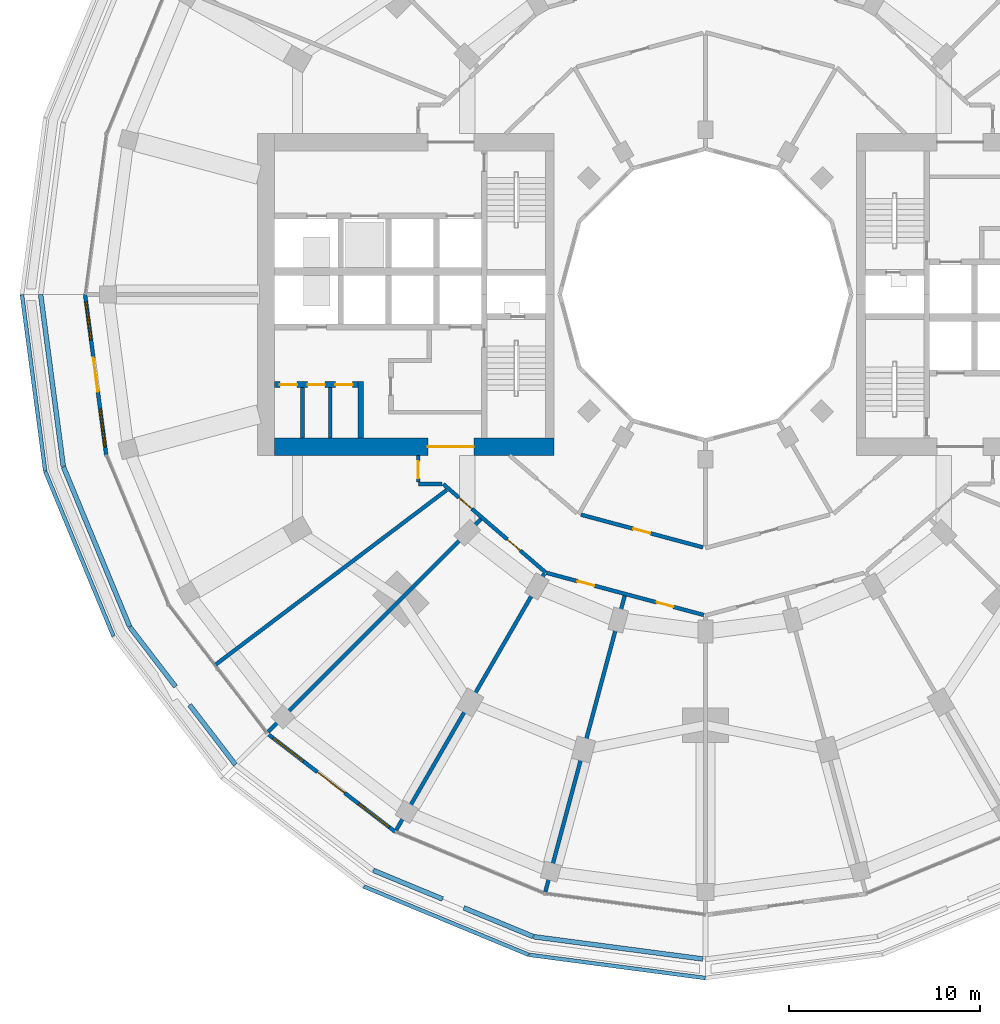
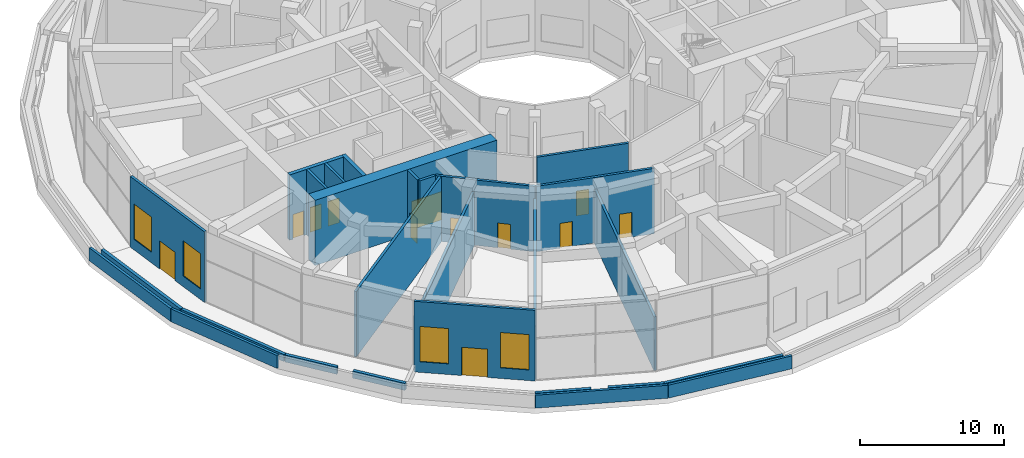
# One storey, part 15 of 23: 27 walls, 12 doors, 4 windows, 16 openings.
"""IFC4 building model written with IfcOpenShell, lengths in metres."""

from ifc_helpers import new_model, si_unit, direction, frame, frame_2d, origin, place, context, subcontext, project, spatial, rectangle, extrude, material, layer, layer_set, type_object, element, fill, save


model = new_model("IFC4")

# Units and contexts
model_context = context("Model", 3, precision=1e-05, world=origin(), true_north=direction((0.0, 1.0)))
body_context = subcontext(model_context, "Body", "Model", "MODEL_VIEW")
ifc_project = project(units=[si_unit("LENGTHUNIT", "METRE"), si_unit("AREAUNIT", "SQUARE_METRE"), si_unit("VOLUMEUNIT", "CUBIC_METRE"), si_unit("PLANEANGLEUNIT", "RADIAN"), si_unit("MASSUNIT", "GRAM", prefix="KILO")], contexts=[model_context])

# Site, building, storey
site_placement = place(None, origin())
site = spatial("IfcSite", under=ifc_project, at=site_placement, CompositionType="ELEMENT")
building_placement = place(site_placement, origin())
building = spatial("IfcBuilding", under=site, at=building_placement, Name="Torre Brocal", CompositionType="ELEMENT")
storey_placement = place(building_placement, frame((0.0, 0.0, 17.800048828125)))
storey = spatial("IfcBuildingStorey", under=building, at=storey_placement, Name="L03", CompositionType="ELEMENT", Elevation=17.800048828125)

# Walls
ifc_material_1 = material(Name="Masonry block", Category="masonry")
ifc_layer_1 = layer(ifc_material_1, 0.199951171875)
ifc_layer_set_1 = layer_set([ifc_layer_1], Name="Masonry block")
wall_type_1 = type_object("IfcWallType", Name="CORE PARTITION 200 UNDER 450 SLAB", PredefinedType="PARTITIONING", material=ifc_layer_set_1)
for number, where, z_axis, x_axis, name in (
    (1, (60.39990234375, 70.14990234375, 0.0), (0.0, 0.0, 1.0), (0.0, -1.0, 0.0), "Wall CP200-S450"),
    (2, (58.949951171875, 70.14990234375, 0.0), (0.0, 0.0, 1.0), (0.0, -1.0, 0.0), "Wall CP200-S450"),
):
    element("IfcWall", number, at=place(storey_placement, frame(where, z_axis=z_axis, x_axis=x_axis)), inside=storey, type_object=wall_type_1, Name=name, PredefinedType="PARTITIONING", context=body_context, shape_type="SweptSolid", body=[
        extrude(rectangle(XDim=2.64990234375, YDim=0.199951171875, at=frame_2d((1.324951171875, 0.0))), origin(), (0.0, 0.0, 1.0), 5.550048828125),
    ])
ifc_material_2 = material(Name="Concrete C80", Category="concrete")
ifc_layer_2 = layer(ifc_material_2, 0.300048828125)
ifc_layer_set_2 = layer_set([ifc_layer_2], Name="Concrete C80")
wall_type_2 = type_object("IfcWallType", Name="CORE WALL 300 C80 UNDER 450 SLAB", PredefinedType="SHEAR", material=ifc_layer_set_2)
wall_1_placement = place(storey_placement, frame((62.0, 70.449951171875, 0.0), z_axis=(0.0, 0.0, 1.0), x_axis=(0.0, -1.0, 0.0)))
element("IfcWall", 3, at=wall_1_placement, inside=storey, type_object=wall_type_2, Name="Wall CW300-80-S450", PredefinedType="SHEAR", context=body_context, shape_type="SweptSolid", body=[
    extrude(rectangle(XDim=2.949951171875, YDim=0.300048828125, at=frame_2d((1.47509765625, 0.0))), origin(), (0.0, 0.0, 1.0), 5.550048828125),
])

# Wall, openings, doors
wall_2_placement = place(storey_placement, frame((61.85009765625, 70.300048828125, 0.0), z_axis=(0.0, 0.0, 1.0), x_axis=(-1.0, 0.0, 0.0)))
wall_2 = element("IfcWall", 4, at=wall_2_placement, inside=storey, type_object=wall_type_2, Name="Wall CW300-80-S450", PredefinedType="SHEAR", context=body_context, shape_type="SweptSolid", body=[
    extrude(rectangle(XDim=4.35009765625, YDim=0.300048828125, at=frame_2d((2.175048828125, 0.0))), origin(), (0.0, 0.0, 1.0), 5.550048828125),
])
opening_1_placement = place(wall_2_placement, frame((0.27490234375, 0.0, 0.0)))
opening_1 = element("IfcOpeningElement", 5, at=opening_1_placement, cuts=wall_2, Name="Opening W-D05", PredefinedType="OPENING", context=body_context, shape_type="SweptSolid", body=[
    extrude(rectangle(XDim=0.89990234375, YDim=2.10009765625, at=frame_2d((0.449951171875, 1.050048828125))), frame((0.0, 0.159912109375, 0.0), z_axis=(0.0, -1.0, 0.0), x_axis=(1.0, 0.0, 0.0)), (0.0, 0.0, 1.0), 0.320068359375),
])
opening_2_placement = place(wall_2_placement, frame((1.72509765625, 0.0, 0.0)))
opening_2 = element("IfcOpeningElement", 6, at=opening_2_placement, cuts=wall_2, Name="Opening W-D06", PredefinedType="OPENING", context=body_context, shape_type="SweptSolid", body=[
    extrude(rectangle(XDim=0.89990234375, YDim=2.10009765625, at=frame_2d((0.449951171875, 1.050048828125))), frame((0.0, 0.159912109375, 0.0), z_axis=(0.0, -1.0, 0.0), x_axis=(1.0, 0.0, 0.0)), (0.0, 0.0, 1.0), 0.320068359375),
])
opening_3_placement = place(wall_2_placement, frame((3.175048828125, 0.0, 0.0)))
opening_3 = element("IfcOpeningElement", 7, at=opening_3_placement, cuts=wall_2, Name="Opening W-D07", PredefinedType="OPENING", context=body_context, shape_type="SweptSolid", body=[
    extrude(rectangle(XDim=0.89990234375, YDim=2.10009765625, at=frame_2d((0.449951171875, 1.050048828125))), frame((0.0, 0.159912109375, 0.0), z_axis=(0.0, -1.0, 0.0), x_axis=(1.0, 0.0, 0.0)), (0.0, 0.0, 1.0), 0.320068359375),
])
ifc_material_3 = material(Name="Steel A653", Category="steel")
door_type_1 = type_object("IfcDoorType", Name="ROOM DOOR FD30S 900X2100", OperationType="SINGLE_SWING_LEFT", PredefinedType="DOOR", material=ifc_material_3)
door_1_placement = place(opening_1_placement, origin())
door_1 = element("IfcDoor", 8, at=door_1_placement, inside=storey, type_object=door_type_1, Name="Door W-D05", OperationType="SINGLE_SWING_RIGHT", OverallHeight=2.10009765625, OverallWidth=0.89990234375, PredefinedType="DOOR", context=body_context, shape_type="SweptSolid", body=[
    extrude(rectangle(XDim=0.89990234375, YDim=2.10009765625, at=frame_2d((0.449951171875, 1.050048828125))), frame((0.0, 0.02490234375, 0.0), z_axis=(0.0, -1.0, 0.0), x_axis=(1.0, 0.0, 0.0)), (0.0, 0.0, 1.0), 0.050048828125),
])
fill(opening_1, door_1)
door_2_placement = place(opening_2_placement, origin())
door_2 = element("IfcDoor", 9, at=door_2_placement, inside=storey, type_object=door_type_1, Name="Door W-D06", OperationType="SINGLE_SWING_LEFT", OverallHeight=2.10009765625, OverallWidth=0.89990234375, PredefinedType="DOOR", context=body_context, shape_type="SweptSolid", body=[
    extrude(rectangle(XDim=0.89990234375, YDim=2.10009765625, at=frame_2d((0.449951171875, 1.050048828125))), frame((0.0, 0.02490234375, 0.0), z_axis=(0.0, -1.0, 0.0), x_axis=(1.0, 0.0, 0.0)), (0.0, 0.0, 1.0), 0.050048828125),
])
fill(opening_2, door_2)
door_3_placement = place(opening_3_placement, origin())
door_3 = element("IfcDoor", 10, at=door_3_placement, inside=storey, type_object=door_type_1, Name="Door W-D07", OperationType="SINGLE_SWING_LEFT", OverallHeight=2.10009765625, OverallWidth=0.89990234375, PredefinedType="DOOR", context=body_context, shape_type="SweptSolid", body=[
    extrude(rectangle(XDim=0.89990234375, YDim=2.10009765625, at=frame_2d((0.449951171875, 1.050048828125))), frame((0.0, 0.02490234375, 0.0), z_axis=(0.0, -1.0, 0.0), x_axis=(1.0, 0.0, 0.0)), (0.0, 0.0, 1.0), 0.050048828125),
])
fill(opening_3, door_3)

# Wall, opening, door
ifc_material_4 = material(Name="Concrete C80", Category="concrete")
ifc_layer_3 = layer(ifc_material_4, 0.89990234375)
ifc_layer_set_3 = layer_set([ifc_layer_3], Name="Concrete C80")
wall_type_3 = type_object("IfcWallType", Name="CORE WALL 900 C80 UNDER 450 SLAB", PredefinedType="SHEAR", material=ifc_layer_set_3)
wall_3_placement = place(storey_placement, frame((72.10009765625, 67.050048828125, 0.0), z_axis=(0.0, 0.0, 1.0), x_axis=(-1.0, 0.0, 0.0)))
wall_3 = element("IfcWall", 11, at=wall_3_placement, inside=storey, type_object=wall_type_3, Name="Wall CW900-80-S450", PredefinedType="SHEAR", context=body_context, shape_type="SweptSolid", body=[
    extrude(rectangle(XDim=14.60009765625, YDim=0.89990234375, at=frame_2d((7.300048828125, 0.0))), origin(), (0.0, 0.0, 1.0), 5.550048828125),
])
opening_4_placement = place(wall_3_placement, frame((4.199951171875, 0.0, 0.0)))
opening_4 = element("IfcOpeningElement", 12, at=opening_4_placement, cuts=wall_3, Name="Opening W-D27", PredefinedType="OPENING", context=body_context, shape_type="SweptSolid", body=[
    extrude(rectangle(XDim=2.39990234375, YDim=2.39990234375, at=frame_2d((1.199951171875, 1.199951171875))), frame((0.0, 0.4599609375, 0.0), z_axis=(0.0, -1.0, 0.0), x_axis=(1.0, 0.0, 0.0)), (0.0, 0.0, 1.0), 0.919921875),
])
ifc_material_5 = material(Name="Steel A653", Category="steel")
door_type_2 = type_object("IfcDoorType", Name="DOUBLE FIRE DOOR FD90 2400X2400", OperationType="DOUBLE_DOOR_SINGLE_SWING", PredefinedType="DOOR", material=ifc_material_5)
door_4_placement = place(opening_4_placement, frame((2.39990234375, 0.0, 0.0), z_axis=(0.0, 0.0, 1.0), x_axis=(-1.0, 0.0, 0.0)))
door_4 = element("IfcDoor", 13, at=door_4_placement, inside=storey, type_object=door_type_2, Name="Door W-D27", OperationType="DOUBLE_DOOR_SINGLE_SWING", OverallHeight=2.39990234375, OverallWidth=2.39990234375, PredefinedType="DOOR", context=body_context, shape_type="SweptSolid", body=[
    extrude(rectangle(XDim=2.39990234375, YDim=2.39990234375, at=frame_2d((1.199951171875, 1.199951171875))), frame((0.0, 0.02490234375, 0.0), z_axis=(0.0, -1.0, 0.0), x_axis=(1.0, 0.0, 0.0)), (0.0, 0.0, 1.0), 0.050048828125),
])
fill(opening_4, door_4)

# Wall, openings, windows, door
ifc_material_6 = material(Name="Concrete C40", Category="concrete")
ifc_layer_4 = layer(ifc_material_6, 0.199951171875)
ifc_layer_set_4 = layer_set([ifc_layer_4], Name="Concrete C40")
wall_type_4 = type_object("IfcWallType", Name="EXTERNAL WALL 200", PredefinedType="NOTDEFINED", material=ifc_layer_set_4)
wall_4_placement = place(storey_placement, frame((47.600830078125, 75.0, 0.0), z_axis=(0.0, 0.0, 1.0), x_axis=(0.130529928059, -0.991444369534, 0.0)))
wall_4 = element("IfcWall", 14, at=wall_4_placement, inside=storey, type_object=wall_type_4, Name="EXTERNAL WALL", PredefinedType="NOTDEFINED", context=body_context, shape_type="SweptSolid", body=[
    extrude(rectangle(XDim=8.457763671875, YDim=0.199951171875, at=frame_2d((4.22900390625, 0.0))), origin(), (0.0, 0.0, 1.0), 6.0),
])
opening_5_placement = place(wall_4_placement, frame((0.40966796875, 0.0, 0.89990234375)))
opening_5 = element("IfcOpeningElement", 15, at=opening_5_placement, cuts=wall_4, Name="Opening W7", PredefinedType="OPENING", context=body_context, shape_type="SweptSolid", body=[
    extrude(rectangle(XDim=2.0, YDim=3.0, at=frame_2d((1.0, 1.5))), frame((0.0, 0.10986328125, 0.0), z_axis=(0.0, -1.0, 0.0), x_axis=(1.0, 0.0, 0.0)), (0.0, 0.0, 1.0), 0.219970703125),
])
opening_6_placement = place(wall_4_placement, frame((3.328857421875, 0.0, 0.0)))
opening_6 = element("IfcOpeningElement", 16, at=opening_6_placement, cuts=wall_4, Name="Opening L03-E05", PredefinedType="OPENING", context=body_context, shape_type="SweptSolid", body=[
    extrude(rectangle(XDim=1.800048828125, YDim=2.39990234375, at=frame_2d((0.89990234375, 1.199951171875))), frame((0.0, 0.10986328125, 0.0), z_axis=(0.0, -1.0, 0.0), x_axis=(1.0, 0.0, 0.0)), (0.0, 0.0, 1.0), 0.219970703125),
])
opening_7_placement = place(wall_4_placement, frame((6.04833984375, 0.0, 0.89990234375)))
opening_7 = element("IfcOpeningElement", 17, at=opening_7_placement, cuts=wall_4, Name="Opening W7", PredefinedType="OPENING", context=body_context, shape_type="SweptSolid", body=[
    extrude(rectangle(XDim=2.0, YDim=3.0, at=frame_2d((1.0, 1.5))), frame((0.0, 0.10986328125, 0.0), z_axis=(0.0, -1.0, 0.0), x_axis=(1.0, 0.0, 0.0)), (0.0, 0.0, 1.0), 0.219970703125),
])
ifc_material_7 = material(Name="Aluminium and glass", Category="aluminium")
window_type = type_object("IfcWindowType", Name="PODIUM WINDOW 2000X3000", PartitioningType="SINGLE_PANEL", PredefinedType="WINDOW", material=ifc_material_7)
window_1_placement = place(opening_5_placement, origin())
window_1 = element("IfcWindow", 18, at=window_1_placement, inside=storey, type_object=window_type, Name="PODIUM WINDOW 2000X3000", OverallHeight=3.0, OverallWidth=2.0, PartitioningType="SINGLE_PANEL", PredefinedType="WINDOW", context=body_context, shape_type="SweptSolid", body=[
    extrude(rectangle(XDim=2.0, YDim=3.0, at=frame_2d((1.0, 1.5))), frame((0.0, 0.030029296875, 0.0), z_axis=(0.0, -1.0, 0.0), x_axis=(1.0, 0.0, 0.0)), (0.0, 0.0, 1.0), 0.06005859375),
])
fill(opening_5, window_1)
window_2_placement = place(opening_7_placement, origin())
window_2 = element("IfcWindow", 19, at=window_2_placement, inside=storey, type_object=window_type, Name="PODIUM WINDOW 2000X3000", OverallHeight=3.0, OverallWidth=2.0, PartitioningType="SINGLE_PANEL", PredefinedType="WINDOW", context=body_context, shape_type="SweptSolid", body=[
    extrude(rectangle(XDim=2.0, YDim=3.0, at=frame_2d((1.0, 1.5))), frame((0.0, 0.030029296875, 0.0), z_axis=(0.0, -1.0, 0.0), x_axis=(1.0, 0.0, 0.0)), (0.0, 0.0, 1.0), 0.06005859375),
])
fill(opening_7, window_2)
ifc_material_8 = material(Name="Aluminium and glass", Category="aluminium")
door_type_3 = type_object("IfcDoorType", Name="TERRACE DOUBLE DOOR 1800X2400", OperationType="DOUBLE_DOOR_SINGLE_SWING", PredefinedType="DOOR", material=ifc_material_8)
door_5_placement = place(opening_6_placement, frame((1.800048828125, 0.0, 0.0), z_axis=(0.0, 0.0, 1.0), x_axis=(-1.0, 0.0, 0.0)))
door_5 = element("IfcDoor", 20, at=door_5_placement, inside=storey, type_object=door_type_3, Name="DOOR L03-E05", OperationType="DOUBLE_DOOR_SINGLE_SWING", OverallHeight=2.39990234375, OverallWidth=1.800048828125, PredefinedType="DOOR", context=body_context, shape_type="SweptSolid", body=[
    extrude(rectangle(XDim=1.800048828125, YDim=2.39990234375, at=frame_2d((0.89990234375, 1.199951171875))), frame((0.0, 0.02490234375, 0.0), z_axis=(0.0, -1.0, 0.0), x_axis=(1.0, 0.0, 0.0)), (0.0, 0.0, 1.0), 0.050048828125),
])
fill(opening_6, door_5)

wall_5_placement = place(storey_placement, frame((57.09033203125, 52.09033203125, 0.0), z_axis=(0.0, 0.0, 1.0), x_axis=(0.793353093047, -0.608761751223, 0.0)))
wall_5 = element("IfcWall", 21, at=wall_5_placement, inside=storey, type_object=wall_type_4, Name="EXTERNAL WALL", PredefinedType="NOTDEFINED", context=body_context, shape_type="SweptSolid", body=[
    extrude(rectangle(XDim=8.4580078125, YDim=0.199951171875, at=frame_2d((4.22900390625, 0.0))), origin(), (0.0, 0.0, 1.0), 6.0),
])
opening_8_placement = place(wall_5_placement, frame((0.40966796875, 0.0, 0.89990234375)))
opening_8 = element("IfcOpeningElement", 22, at=opening_8_placement, cuts=wall_5, Name="Opening W7", PredefinedType="OPENING", context=body_context, shape_type="SweptSolid", body=[
    extrude(rectangle(XDim=2.0, YDim=3.0, at=frame_2d((1.0, 1.5))), frame((0.0, 0.10986328125, 0.0), z_axis=(0.0, -1.0, 0.0), x_axis=(1.0, 0.0, 0.0)), (0.0, 0.0, 1.0), 0.219970703125),
])
opening_9_placement = place(wall_5_placement, frame((3.328857421875, 0.0, 0.0)))
opening_9 = element("IfcOpeningElement", 23, at=opening_9_placement, cuts=wall_5, Name="Opening L03-E06", PredefinedType="OPENING", context=body_context, shape_type="SweptSolid", body=[
    extrude(rectangle(XDim=1.800048828125, YDim=2.39990234375, at=frame_2d((0.89990234375, 1.199951171875))), frame((0.0, 0.10986328125, 0.0), z_axis=(0.0, -1.0, 0.0), x_axis=(1.0, 0.0, 0.0)), (0.0, 0.0, 1.0), 0.219970703125),
])
opening_10_placement = place(wall_5_placement, frame((6.04833984375, 0.0, 0.89990234375)))
opening_10 = element("IfcOpeningElement", 24, at=opening_10_placement, cuts=wall_5, Name="Opening W7", PredefinedType="OPENING", context=body_context, shape_type="SweptSolid", body=[
    extrude(rectangle(XDim=2.0, YDim=3.0, at=frame_2d((1.0, 1.5))), frame((0.0, 0.10986328125, 0.0), z_axis=(0.0, -1.0, 0.0), x_axis=(1.0, 0.0, 0.0)), (0.0, 0.0, 1.0), 0.219970703125),
])
window_3_placement = place(opening_8_placement, origin())
window_3 = element("IfcWindow", 25, at=window_3_placement, inside=storey, type_object=window_type, Name="PODIUM WINDOW 2000X3000", OverallHeight=3.0, OverallWidth=2.0, PartitioningType="SINGLE_PANEL", PredefinedType="WINDOW", context=body_context, shape_type="SweptSolid", body=[
    extrude(rectangle(XDim=2.0, YDim=3.0, at=frame_2d((1.0, 1.5))), frame((0.0, 0.030029296875, 0.0), z_axis=(0.0, -1.0, 0.0), x_axis=(1.0, 0.0, 0.0)), (0.0, 0.0, 1.0), 0.06005859375),
])
fill(opening_8, window_3)
window_4_placement = place(opening_10_placement, origin())
window_4 = element("IfcWindow", 26, at=window_4_placement, inside=storey, type_object=window_type, Name="PODIUM WINDOW 2000X3000", OverallHeight=3.0, OverallWidth=2.0, PartitioningType="SINGLE_PANEL", PredefinedType="WINDOW", context=body_context, shape_type="SweptSolid", body=[
    extrude(rectangle(XDim=2.0, YDim=3.0, at=frame_2d((1.0, 1.5))), frame((0.0, 0.030029296875, 0.0), z_axis=(0.0, -1.0, 0.0), x_axis=(1.0, 0.0, 0.0)), (0.0, 0.0, 1.0), 0.06005859375),
])
fill(opening_10, window_4)
door_6_placement = place(opening_9_placement, frame((1.800048828125, 0.0, 0.0), z_axis=(0.0, 0.0, 1.0), x_axis=(-1.0, 0.0, 0.0)))
door_6 = element("IfcDoor", 27, at=door_6_placement, inside=storey, type_object=door_type_3, Name="DOOR L03-E06", OperationType="DOUBLE_DOOR_SINGLE_SWING", OverallHeight=2.39990234375, OverallWidth=1.800048828125, PredefinedType="DOOR", context=body_context, shape_type="SweptSolid", body=[
    extrude(rectangle(XDim=1.800048828125, YDim=2.39990234375, at=frame_2d((0.89990234375, 1.199951171875))), frame((0.0, 0.02490234375, 0.0), z_axis=(0.0, -1.0, 0.0), x_axis=(1.0, 0.0, 0.0)), (0.0, 0.0, 1.0), 0.050048828125),
])
fill(opening_9, door_6)

# Walls
ifc_material_9 = material(Name="Concrete C40", Category="concrete")
ifc_layer_5 = layer(ifc_material_9, 0.199951171875)
ifc_layer_set_5 = layer_set([ifc_layer_5], Name="Concrete C40")
wall_type_5 = type_object("IfcWallType", Name="PARAPET WALL 200 THICK 1100 HIGH 2", PredefinedType="PARAPET", material=ifc_layer_set_5)
wall_6_placement = place(storey_placement, frame((79.987060546875, 39.30419921875, 0.0), z_axis=(0.0, 0.0, 1.0), x_axis=(-0.99144204025, 0.130547618995, 0.0)))
element("IfcWall", 28, at=wall_6_placement, inside=storey, type_object=wall_type_5, Name="PARAPET WALL 7", PredefinedType="PARAPET", context=body_context, shape_type="SweptSolid", body=[
    extrude(rectangle(XDim=9.292724609375, YDim=0.199951171875, at=frame_2d((4.646484375, 0.0))), origin(), (0.0, 0.0, 1.0), 1.099853515625),
])
for number, where, z_axis, x_axis, name in (
    (29, (70.748779296875, 40.52392578125, 0.0), (0.0, 0.0, 1.0), (-0.923877859786, 0.382687470657, 0.0), "PARAPET WALL 8"),
    (30, (49.080078125, 57.16357421875, 0.0), (0.0, 0.0, 1.0), (-0.382687470657, 0.923877859786, 0.0), "PARAPET WALL 11"),
):
    element("IfcWall", number, at=place(storey_placement, frame(where, z_axis=z_axis, x_axis=x_axis)), inside=storey, type_object=wall_type_5, Name=name, PredefinedType="PARAPET", context=body_context, shape_type="SweptSolid", body=[
        extrude(rectangle(XDim=9.29248046875, YDim=0.199951171875, at=frame_2d((4.646240234375, 0.0))), origin(), (0.0, 0.0, 1.0), 1.099853515625),
    ])
wall_7_placement = place(storey_placement, frame((45.517333984375, 65.77392578125, 0.0), z_axis=(0.0, 0.0, 1.0), x_axis=(-0.130547618995, 0.99144204025, 0.0)))
element("IfcWall", 31, at=wall_7_placement, inside=storey, type_object=wall_type_5, Name="PARAPET WALL 12", PredefinedType="PARAPET", context=body_context, shape_type="SweptSolid", body=[
    extrude(rectangle(XDim=9.292724609375, YDim=0.199951171875, at=frame_2d((4.646484375, 0.0))), origin(), (0.0, 0.0, 1.0), 1.099853515625),
])
ifc_material_10 = material(Name="Gypsum board", Category="Gypsum")
ifc_layer_6 = layer(ifc_material_10, 0.199951171875)
ifc_layer_set_6 = layer_set([ifc_layer_6], Name="Gypsum board")
wall_type_6 = type_object("IfcWallType", Name="PARTITION 200 EI60", PredefinedType="PARTITIONING", material=ifc_layer_set_6)
wall_8_placement = place(storey_placement, frame((54.402099609375, 55.658935546875, 0.0), z_axis=(0.0, 0.0, 1.0), x_axis=(0.797859052376, 0.602844036664, 0.0)))
element("IfcWall", 32, at=wall_8_placement, inside=storey, type_object=wall_type_6, Name="PARTY PARTITION", PredefinedType="PARTITIONING", context=body_context, shape_type="SweptSolid", body=[
    extrude(rectangle(XDim=15.14306640625, YDim=0.199951171875, at=frame_2d((7.571533203125, 0.0))), origin(), (0.0, 0.0, 1.0), 5.550048828125),
])

# Wall, opening, door
wall_9_placement = place(storey_placement, frame((65.0, 65.199951171875, 0.0), z_axis=(0.0, 0.0, 1.0), x_axis=(0.0, 1.0, 0.0)))
wall_9 = element("IfcWall", 33, at=wall_9_placement, inside=storey, type_object=wall_type_6, Name="CORRIDOR WALL", PredefinedType="PARTITIONING", context=body_context, shape_type="SweptSolid", body=[
    extrude(rectangle(XDim=1.399169921875, YDim=0.199951171875, at=frame_2d((0.69970703125, 0.0))), origin(), (0.0, 0.0, 1.0), 5.550048828125),
])
opening_11_placement = place(wall_9_placement, frame((0.199951171875, 0.0, 0.0)))
opening_11 = element("IfcOpeningElement", 34, at=opening_11_placement, cuts=wall_9, Name="Opening PD3-D25", PredefinedType="OPENING", context=body_context, shape_type="SweptSolid", body=[
    extrude(rectangle(XDim=0.89990234375, YDim=2.10009765625, at=frame_2d((0.449951171875, 1.050048828125))), frame((0.0, 0.10986328125, 0.0), z_axis=(0.0, -1.0, 0.0), x_axis=(1.0, 0.0, 0.0)), (0.0, 0.0, 1.0), 0.219970703125),
])
ifc_material_11 = material(Name="Timber", Category="wood")
door_type_4 = type_object("IfcDoorType", Name="ROOM DOOR 900X2100", OperationType="SINGLE_SWING_LEFT", PredefinedType="DOOR", material=ifc_material_11)
door_7_placement = place(opening_11_placement, origin())
door_7 = element("IfcDoor", 35, at=door_7_placement, inside=storey, type_object=door_type_4, Name="PD3-D25", OperationType="SINGLE_SWING_RIGHT", OverallHeight=2.10009765625, OverallWidth=0.89990234375, PredefinedType="DOOR", context=body_context, shape_type="SweptSolid", body=[
    extrude(rectangle(XDim=0.89990234375, YDim=2.10009765625, at=frame_2d((0.449951171875, 1.050048828125))), frame((0.0, 0.02490234375, 0.0), z_axis=(0.0, -1.0, 0.0), x_axis=(1.0, 0.0, 0.0)), (0.0, 0.0, 1.0), 0.050048828125),
])
fill(opening_11, door_7)

# Wall
wall_10_placement = place(storey_placement, frame((65.0, 65.10009765625, 0.0), z_axis=(0.0, 0.0, 1.0), x_axis=(1.0, 0.0, 0.0)))
element("IfcWall", 36, at=wall_10_placement, inside=storey, type_object=wall_type_6, Name="CORRIDOR WALL", PredefinedType="PARTITIONING", context=body_context, shape_type="SweptSolid", body=[
    extrude(rectangle(XDim=1.241943359375, YDim=0.199951171875, at=frame_2d((0.62109375, 0.0))), origin(), (0.0, 0.0, 1.0), 5.550048828125),
])

# Wall, openings, doors
wall_11_placement = place(storey_placement, frame((66.303955078125, 65.102294921875, 0.0), z_axis=(0.0, 0.0, 1.0), x_axis=(0.75695048542, -0.653472235541, 0.0)))
wall_11 = element("IfcWall", 37, at=wall_11_placement, inside=storey, type_object=wall_type_6, Name="CORRIDOR WALL", PredefinedType="PARTITIONING", context=body_context, shape_type="SweptSolid", body=[
    extrude(rectangle(XDim=7.0615234375, YDim=0.199951171875, at=frame_2d((3.53076171875, 0.0))), origin(), (0.0, 0.0, 1.0), 5.550048828125),
])
opening_12_placement = place(wall_11_placement, frame((4.414306640625, 0.0, 0.0)))
opening_12 = element("IfcOpeningElement", 38, at=opening_12_placement, cuts=wall_11, Name="Opening PD3-D24", PredefinedType="OPENING", context=body_context, shape_type="SweptSolid", body=[
    extrude(rectangle(XDim=0.89990234375, YDim=2.10009765625, at=frame_2d((0.449951171875, 1.050048828125))), frame((0.0, 0.10986328125, 0.0), z_axis=(0.0, -1.0, 0.0), x_axis=(1.0, 0.0, 0.0)), (0.0, 0.0, 1.0), 0.219970703125),
])
opening_13_placement = place(wall_11_placement, frame((1.07958984375, 0.0, 0.0)))
opening_13 = element("IfcOpeningElement", 39, at=opening_13_placement, cuts=wall_11, Name="Opening PD3-D26", PredefinedType="OPENING", context=body_context, shape_type="SweptSolid", body=[
    extrude(rectangle(XDim=0.89990234375, YDim=2.10009765625, at=frame_2d((0.449951171875, 1.050048828125))), frame((0.0, 0.10986328125, 0.0), z_axis=(0.0, -1.0, 0.0), x_axis=(1.0, 0.0, 0.0)), (0.0, 0.0, 1.0), 0.219970703125),
])
door_8_placement = place(opening_12_placement, frame((0.89990234375, 0.0, 0.0), z_axis=(0.0, 0.0, 1.0), x_axis=(-1.0, 0.0, 0.0)))
door_8 = element("IfcDoor", 40, at=door_8_placement, inside=storey, type_object=door_type_4, Name="PD3-D24", OperationType="SINGLE_SWING_RIGHT", OverallHeight=2.10009765625, OverallWidth=0.89990234375, PredefinedType="DOOR", context=body_context, shape_type="SweptSolid", body=[
    extrude(rectangle(XDim=0.89990234375, YDim=2.10009765625, at=frame_2d((0.449951171875, 1.050048828125))), frame((0.0, 0.02490234375, 0.0), z_axis=(0.0, -1.0, 0.0), x_axis=(1.0, 0.0, 0.0)), (0.0, 0.0, 1.0), 0.050048828125),
])
fill(opening_12, door_8)
door_9_placement = place(opening_13_placement, frame((0.89990234375, 0.0, 0.0), z_axis=(0.0, 0.0, 1.0), x_axis=(-1.0, 0.0, 0.0)))
door_9 = element("IfcDoor", 41, at=door_9_placement, inside=storey, type_object=door_type_4, Name="PD3-D26", OperationType="SINGLE_SWING_LEFT", OverallHeight=2.10009765625, OverallWidth=0.89990234375, PredefinedType="DOOR", context=body_context, shape_type="SweptSolid", body=[
    extrude(rectangle(XDim=0.89990234375, YDim=2.10009765625, at=frame_2d((0.449951171875, 1.050048828125))), frame((0.0, 0.02490234375, 0.0), z_axis=(0.0, -1.0, 0.0), x_axis=(1.0, 0.0, 0.0)), (0.0, 0.0, 1.0), 0.050048828125),
])
fill(opening_13, door_9)

wall_12_placement = place(storey_placement, frame((71.68505859375, 60.46826171875, 0.0), z_axis=(0.0, 0.0, 1.0), x_axis=(0.96590736437, -0.258887936097, 0.0)))
wall_12 = element("IfcWall", 42, at=wall_12_placement, inside=storey, type_object=wall_type_6, Name="CORRIDOR WALL", PredefinedType="PARTITIONING", context=body_context, shape_type="SweptSolid", body=[
    extrude(rectangle(XDim=8.5185546875, YDim=0.199951171875, at=frame_2d((4.25927734375, 0.0))), origin(), (0.0, 0.0, 1.0), 5.550048828125),
])
opening_14_placement = place(wall_12_placement, frame((5.9794921875, 0.0, 0.0)))
opening_14 = element("IfcOpeningElement", 43, at=opening_14_placement, cuts=wall_12, Name="Opening PD3-D22", PredefinedType="OPENING", context=body_context, shape_type="SweptSolid", body=[
    extrude(rectangle(XDim=0.89990234375, YDim=2.10009765625, at=frame_2d((0.449951171875, 1.050048828125))), frame((0.0, 0.10986328125, 0.0), z_axis=(0.0, -1.0, 0.0), x_axis=(1.0, 0.0, 0.0)), (0.0, 0.0, 1.0), 0.219970703125),
])
opening_15_placement = place(wall_12_placement, frame((1.695068359375, 0.0, 0.0)))
opening_15 = element("IfcOpeningElement", 44, at=opening_15_placement, cuts=wall_12, Name="Opening PD3-D23", PredefinedType="OPENING", context=body_context, shape_type="SweptSolid", body=[
    extrude(rectangle(XDim=0.89990234375, YDim=2.10009765625, at=frame_2d((0.449951171875, 1.050048828125))), frame((0.0, 0.10986328125, 0.0), z_axis=(0.0, -1.0, 0.0), x_axis=(1.0, 0.0, 0.0)), (0.0, 0.0, 1.0), 0.219970703125),
])
door_10_placement = place(opening_14_placement, frame((0.89990234375, 0.0, 0.0), z_axis=(0.0, 0.0, 1.0), x_axis=(-1.0, 0.0, 0.0)))
door_10 = element("IfcDoor", 45, at=door_10_placement, inside=storey, type_object=door_type_4, Name="PD3-D22", OperationType="SINGLE_SWING_RIGHT", OverallHeight=2.10009765625, OverallWidth=0.89990234375, PredefinedType="DOOR", context=body_context, shape_type="SweptSolid", body=[
    extrude(rectangle(XDim=0.89990234375, YDim=2.10009765625, at=frame_2d((0.449951171875, 1.050048828125))), frame((0.0, 0.02490234375, 0.0), z_axis=(0.0, -1.0, 0.0), x_axis=(1.0, 0.0, 0.0)), (0.0, 0.0, 1.0), 0.050048828125),
])
fill(opening_14, door_10)
door_11_placement = place(opening_15_placement, frame((0.89990234375, 0.0, 0.0), z_axis=(0.0, 0.0, 1.0), x_axis=(-1.0, 0.0, 0.0)))
door_11 = element("IfcDoor", 46, at=door_11_placement, inside=storey, type_object=door_type_4, Name="PD3-D23", OperationType="SINGLE_SWING_LEFT", OverallHeight=2.10009765625, OverallWidth=0.89990234375, PredefinedType="DOOR", context=body_context, shape_type="SweptSolid", body=[
    extrude(rectangle(XDim=0.89990234375, YDim=2.10009765625, at=frame_2d((0.449951171875, 1.050048828125))), frame((0.0, 0.02490234375, 0.0), z_axis=(0.0, -1.0, 0.0), x_axis=(1.0, 0.0, 0.0)), (0.0, 0.0, 1.0), 0.050048828125),
])
fill(opening_15, door_11)

# Wall, opening, door
wall_13_placement = place(storey_placement, frame((73.49853515625, 63.501953125, 0.0), z_axis=(0.0, 0.0, 1.0), x_axis=(0.965923617359, -0.258827288799, 0.0)))
wall_13 = element("IfcWall", 47, at=wall_13_placement, inside=storey, type_object=wall_type_6, Name="CORRIDOR WALL", PredefinedType="PARTITIONING", context=body_context, shape_type="SweptSolid", body=[
    extrude(rectangle(XDim=6.600830078125, YDim=0.199951171875, at=frame_2d((3.30029296875, 0.0))), origin(), (0.0, 0.0, 1.0), 5.550048828125),
])
opening_16_placement = place(wall_13_placement, frame((2.843994140625, 0.0, 0.0)))
opening_16 = element("IfcOpeningElement", 48, at=opening_16_placement, cuts=wall_13, Name="Opening PD3-D29", PredefinedType="OPENING", context=body_context, shape_type="SweptSolid", body=[
    extrude(rectangle(XDim=0.89990234375, YDim=2.10009765625, at=frame_2d((0.449951171875, 1.050048828125))), frame((0.0, 0.10986328125, 0.0), z_axis=(0.0, -1.0, 0.0), x_axis=(1.0, 0.0, 0.0)), (0.0, 0.0, 1.0), 0.219970703125),
])
door_12_placement = place(opening_16_placement, origin())
door_12 = element("IfcDoor", 49, at=door_12_placement, inside=storey, type_object=door_type_4, Name="PD3-D29", OperationType="SINGLE_SWING_LEFT", OverallHeight=2.10009765625, OverallWidth=0.89990234375, PredefinedType="DOOR", context=body_context, shape_type="SweptSolid", body=[
    extrude(rectangle(XDim=0.89990234375, YDim=2.10009765625, at=frame_2d((0.449951171875, 1.050048828125))), frame((0.0, 0.02490234375, 0.0), z_axis=(0.0, -1.0, 0.0), x_axis=(1.0, 0.0, 0.0)), (0.0, 0.0, 1.0), 0.050048828125),
])
fill(opening_16, door_12)

# Walls
ifc_material_12 = material(Name="Gypsum board", Category="Gypsum")
ifc_layer_7 = layer(ifc_material_12, 0.199951171875)
ifc_layer_set_7 = layer_set([ifc_layer_7], Name="Gypsum board")
wall_type_7 = type_object("IfcWallType", Name="PARTITION 200 EI60 UNDER BEAM 1450", PredefinedType="PARTITIONING", material=ifc_layer_set_7)
wall_14_placement = place(storey_placement, frame((57.16162109375, 52.16162109375, 0.0), z_axis=(0.0, 0.0, 1.0), x_axis=(0.707106781187, 0.707106781187, 0.0)))
element("IfcWall", 50, at=wall_14_placement, inside=storey, type_object=wall_type_7, Name="SERVICE ROOM WALL", PredefinedType="PARTITIONING", context=body_context, shape_type="SweptSolid", body=[
    extrude(rectangle(XDim=15.70263671875, YDim=0.199951171875, at=frame_2d((7.851318359375, 0.0))), origin(), (0.0, 0.0, 1.0), 4.550048828125),
])
wall_15_placement = place(storey_placement, frame((63.849609375, 47.030517578125, 0.0), z_axis=(0.0, 0.0, 1.0), x_axis=(0.500050338071, 0.865996339135, 0.0)))
element("IfcWall", 51, at=wall_15_placement, inside=storey, type_object=wall_type_7, Name="SERVICE ROOM WALL", PredefinedType="PARTITIONING", context=body_context, shape_type="SweptSolid", body=[
    extrude(rectangle(XDim=15.447265625, YDim=0.199951171875, at=frame_2d((7.7236328125, 0.0))), origin(), (0.0, 0.0, 1.0), 4.550048828125),
])
wall_16_placement = place(storey_placement, frame((71.63720703125, 43.8037109375, 0.0), z_axis=(0.0, 0.0, 1.0), x_axis=(0.258906835366, 0.965902298683, 0.0)))
element("IfcWall", 52, at=wall_16_placement, inside=storey, type_object=wall_type_7, Name="PARTY PARTITION", PredefinedType="PARTITIONING", context=body_context, shape_type="SweptSolid", body=[
    extrude(rectangle(XDim=16.0087890625, YDim=0.199951171875, at=frame_2d((8.00439453125, 0.0))), origin(), (0.0, 0.0, 1.0), 4.550048828125),
])
ifc_material_13 = material(Name="Concrete C35", Category="concrete")
ifc_layer_8 = layer(ifc_material_13, 0.25)
ifc_layer_set_8 = layer_set([ifc_layer_8], Name="Concrete C35")
wall_type_8 = type_object("IfcWallType", Name="PLANTER WALL 250 THICK 600 HIGH 2", PredefinedType="USERDEFINED", material=ifc_layer_set_8)
wall_17_placement = place(storey_placement, frame((55.449951171875, 50.449951171875, 0.0), z_axis=(0.0, 0.0, 1.0), x_axis=(-0.608756077719, 0.793357446452, 0.0)))
element("IfcWall", 53, at=wall_17_placement, inside=storey, type_object=wall_type_8, Name="PLANTER", ObjectType="PLANTER", PredefinedType="USERDEFINED", context=body_context, shape_type="SweptSolid", body=[
    extrude(rectangle(XDim=3.931884765625, YDim=0.25, at=frame_2d((1.9658203125, 0.0))), origin(), (0.0, 0.0, 1.0), 0.599853515625),
])
wall_18_placement = place(storey_placement, frame((52.325927734375, 54.521240234375, 0.0), z_axis=(0.0, 0.0, 1.0), x_axis=(-0.608773153249, 0.793344343828, 0.0)))
element("IfcWall", 54, at=wall_18_placement, inside=storey, type_object=wall_type_8, Name="PLANTER", ObjectType="PLANTER", PredefinedType="USERDEFINED", context=body_context, shape_type="SweptSolid", body=[
    extrude(rectangle(XDim=3.915283203125, YDim=0.25, at=frame_2d((1.95751953125, 0.0))), origin(), (0.0, 0.0, 1.0), 0.599853515625),
])
wall_19_placement = place(storey_placement, frame((49.92626953125, 57.65576171875, 0.0), z_axis=(0.0, 0.0, 1.0), x_axis=(-0.38270835262, 0.92386920981, 0.0)))
element("IfcWall", 55, at=wall_19_placement, inside=storey, type_object=wall_type_8, Name="PLANTER", ObjectType="PLANTER", PredefinedType="USERDEFINED", context=body_context, shape_type="SweptSolid", body=[
    extrude(rectangle(XDim=9.030517578125, YDim=0.25, at=frame_2d((4.51513671875, 0.0))), origin(), (0.0, 0.0, 1.0), 0.599853515625),
])
wall_20_placement = place(storey_placement, frame((46.4619140625, 66.0302734375, 0.0), z_axis=(0.0, 0.0, 1.0), x_axis=(-0.130528506283, 0.991444556719, 0.0)))
element("IfcWall", 56, at=wall_20_placement, inside=storey, type_object=wall_type_8, Name="PLANTER", ObjectType="PLANTER", PredefinedType="USERDEFINED", context=body_context, shape_type="SweptSolid", body=[
    extrude(rectangle(XDim=9.047119140625, YDim=0.25, at=frame_2d((4.5234375, 0.0))), origin(), (0.0, 0.0, 1.0), 0.599853515625),
])
wall_21_placement = place(storey_placement, frame((79.858642578125, 40.299560546875, 0.0), z_axis=(0.0, 0.0, 1.0), x_axis=(-0.991443747116, 0.130534655569, 0.0)))
element("IfcWall", 57, at=wall_21_placement, inside=storey, type_object=wall_type_8, Name="PLANTER", ObjectType="PLANTER", PredefinedType="USERDEFINED", context=body_context, shape_type="SweptSolid", body=[
    extrude(rectangle(XDim=8.904541015625, YDim=0.25, at=frame_2d((4.4521484375, 0.0))), origin(), (0.0, 0.0, 1.0), 0.599853515625),
])
for number, where, z_axis, x_axis, name in (
    (58, (70.998779296875, 41.47021484375, 0.0), (0.0, 0.0, 1.0), (-0.923857223525, 0.382737286582, 0.0), "PLANTER"),
    (59, (66.27294921875, 43.427978515625, 0.0), (0.0, 0.0, 1.0), (-0.923879271042, 0.382684063606, 0.0), "PLANTER"),
):
    element("IfcWall", number, at=place(storey_placement, frame(where, z_axis=z_axis, x_axis=x_axis)), inside=storey, type_object=wall_type_8, Name=name, ObjectType="PLANTER", PredefinedType="USERDEFINED", context=body_context, shape_type="SweptSolid", body=[
        extrude(rectangle(XDim=3.915283203125, YDim=0.25, at=frame_2d((1.95751953125, 0.0))), origin(), (0.0, 0.0, 1.0), 0.599853515625),
    ])

save(model, "model.ifc")
